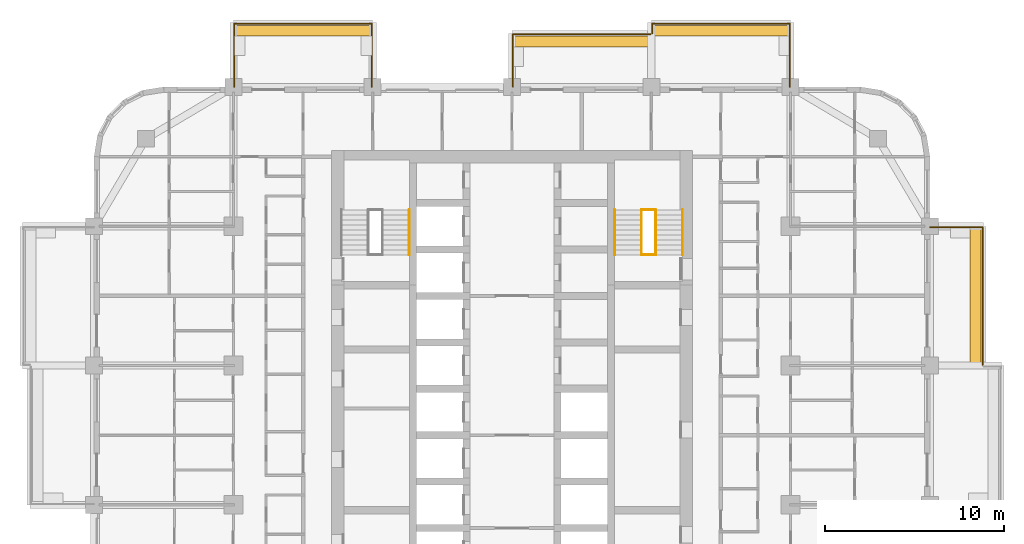
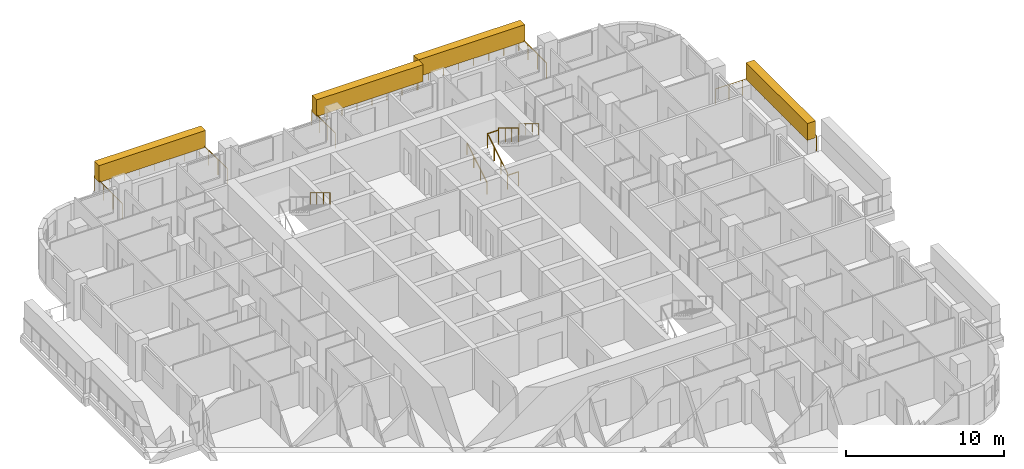
# One storey, part 18 of 18: 11 railings, 4 coverings, 2 elements without a shape of their own.
"""IFC4 building model written with IfcOpenShell, lengths in metres."""

from ifc_helpers import new_model, si_unit, direction, frame, origin, origin_2d, place, context, subcontext, project, spatial, rectangle, circle, extrude, material, layer, layer_set, type_object, element, aggregate, save


model = new_model("IFC4")

# Units and contexts
model_context = context("Model", 3, precision=1e-05, world=origin(), true_north=direction((0.0, 1.0)))
body_context = subcontext(model_context, "Body", "Model", "MODEL_VIEW")
ifc_project = project(units=[si_unit("LENGTHUNIT", "METRE"), si_unit("AREAUNIT", "SQUARE_METRE"), si_unit("VOLUMEUNIT", "CUBIC_METRE"), si_unit("PLANEANGLEUNIT", "RADIAN"), si_unit("MASSUNIT", "GRAM", prefix="KILO")], contexts=[model_context])

# Site, building, storey
site_placement = place(None, origin())
site = spatial("IfcSite", under=ifc_project, at=site_placement, CompositionType="ELEMENT")
building_placement = place(site_placement, origin())
building = spatial("IfcBuilding", under=site, at=building_placement, Name="Ludao Terraces", CompositionType="ELEMENT")
storey_placement = place(building_placement, frame((0.0, 0.0, 75.0)))
storey = spatial("IfcBuildingStorey", under=building, at=storey_placement, Name="L20", CompositionType="ELEMENT", Elevation=75.0)

# Railings
ifc_material_1 = material(Name="Stainless steel 304", Category="steel")
railing_type_1 = type_object("IfcRailingType", Name="ENV Balcony glass guard 1200", PredefinedType="GUARDRAIL", material=ifc_material_1)
railing_1_placement = place(storey_placement, frame((111.35009765625, 72.85009765625, 0.0)))
element("IfcRailing", 1, at=railing_1_placement, inside=storey, type_object=railing_type_1, Name="Balcony guard L20 E4", PredefinedType="GUARDRAIL", context=body_context, shape_type="SweptSolid", body=[
    extrude(circle(Radius=0.02392578125, at=origin_2d()), frame((0.0, 0.0, 1.17578125), z_axis=(0.0, 1.0, 0.0), x_axis=(-1.0, 0.0, 0.0)), (0.0, 0.0, 1.0), 7.699951171875),
    extrude(circle(Radius=0.02392578125, at=origin_2d()), frame((0.0, 7.699951171875, 1.17578125), z_axis=(-1.0, 0.0, 0.0), x_axis=(0.0, -1.0, 0.0)), (0.0, 0.0, 1.0), 2.9501953125),
    extrude(circle(Radius=0.02099609375, at=origin_2d()), origin(), (0.0, 0.0, 1.0), 1.15185546875),
    extrude(circle(Radius=0.02099609375, at=origin_2d()), frame((0.0, 1.10009765625, 0.0)), (0.0, 0.0, 1.0), 1.15185546875),
    extrude(circle(Radius=0.02099609375, at=origin_2d()), frame((0.0, 2.199951171875, 0.0)), (0.0, 0.0, 1.0), 1.15185546875),
    extrude(circle(Radius=0.02099609375, at=origin_2d()), frame((0.0, 3.300048828125, 0.0)), (0.0, 0.0, 1.0), 1.15185546875),
    extrude(circle(Radius=0.02099609375, at=origin_2d()), frame((0.0, 4.39990234375, 0.0)), (0.0, 0.0, 1.0), 1.15185546875),
    extrude(circle(Radius=0.02099609375, at=origin_2d()), frame((0.0, 5.5, 0.0)), (0.0, 0.0, 1.0), 1.15185546875),
    extrude(circle(Radius=0.02099609375, at=origin_2d()), frame((0.0, 6.599853515625, 0.0)), (0.0, 0.0, 1.0), 1.15185546875),
    extrude(circle(Radius=0.02099609375, at=origin_2d()), frame((0.0, 7.699951171875, 0.0)), (0.0, 0.0, 1.0), 1.15185546875),
    extrude(circle(Radius=0.02099609375, at=origin_2d()), frame((-0.9833984375, 7.699951171875, 0.0)), (0.0, 0.0, 1.0), 1.15185546875),
    extrude(circle(Radius=0.02099609375, at=origin_2d()), frame((-1.966796875, 7.699951171875, 0.0)), (0.0, 0.0, 1.0), 1.15185546875),
    extrude(circle(Radius=0.02099609375, at=origin_2d()), frame((-2.9501953125, 7.699951171875, 0.0)), (0.0, 0.0, 1.0), 1.15185546875),
])
railing_2_placement = place(storey_placement, frame((69.449951171875, 88.39990234375, 0.0)))
element("IfcRailing", 2, at=railing_2_placement, inside=storey, type_object=railing_type_1, Name="Balcony guard L20 N1", PredefinedType="GUARDRAIL", context=body_context, shape_type="SweptSolid", body=[
    extrude(circle(Radius=0.02392578125, at=origin_2d()), frame((0.0, 0.0, 1.17578125), z_axis=(0.0, 1.0, 0.0), x_axis=(-1.0, 0.0, 0.0)), (0.0, 0.0, 1.0), 3.550048828125),
    extrude(circle(Radius=0.02392578125, at=origin_2d()), frame((0.0, 3.550048828125, 1.17578125), z_axis=(1.0, 0.0, 0.0), x_axis=(0.0, 1.0, 0.0)), (0.0, 0.0, 1.0), 7.699951171875),
    extrude(circle(Radius=0.02392578125, at=origin_2d()), frame((7.699951171875, 3.550048828125, 1.17578125), z_axis=(0.0, -1.0, 0.0), x_axis=(1.0, 0.0, 0.0)), (0.0, 0.0, 1.0), 3.550048828125),
    extrude(circle(Radius=0.02099609375, at=origin_2d()), origin(), (0.0, 0.0, 1.0), 1.15185546875),
    extrude(circle(Radius=0.02099609375, at=origin_2d()), frame((0.0, 1.183349609375, 0.0)), (0.0, 0.0, 1.0), 1.15185546875),
    extrude(circle(Radius=0.02099609375, at=origin_2d()), frame((0.0, 2.36669921875, 0.0)), (0.0, 0.0, 1.0), 1.15185546875),
    extrude(circle(Radius=0.02099609375, at=origin_2d()), frame((0.0, 3.550048828125, 0.0)), (0.0, 0.0, 1.0), 1.15185546875),
    extrude(circle(Radius=0.02099609375, at=origin_2d()), frame((1.10009765625, 3.550048828125, 0.0)), (0.0, 0.0, 1.0), 1.15185546875),
    extrude(circle(Radius=0.02099609375, at=origin_2d()), frame((2.199951171875, 3.550048828125, 0.0)), (0.0, 0.0, 1.0), 1.15185546875),
    extrude(circle(Radius=0.02099609375, at=origin_2d()), frame((3.300048828125, 3.550048828125, 0.0)), (0.0, 0.0, 1.0), 1.15185546875),
    extrude(circle(Radius=0.02099609375, at=origin_2d()), frame((4.39990234375, 3.550048828125, 0.0)), (0.0, 0.0, 1.0), 1.15185546875),
    extrude(circle(Radius=0.02099609375, at=origin_2d()), frame((5.5, 3.550048828125, 0.0)), (0.0, 0.0, 1.0), 1.15185546875),
    extrude(circle(Radius=0.02099609375, at=origin_2d()), frame((6.599853515625, 3.550048828125, 0.0)), (0.0, 0.0, 1.0), 1.15185546875),
    extrude(circle(Radius=0.02099609375, at=origin_2d()), frame((7.699951171875, 3.550048828125, 0.0)), (0.0, 0.0, 1.0), 1.15185546875),
    extrude(circle(Radius=0.02099609375, at=origin_2d()), frame((7.699951171875, 2.36669921875, 0.0)), (0.0, 0.0, 1.0), 1.15185546875),
    extrude(circle(Radius=0.02099609375, at=origin_2d()), frame((7.699951171875, 1.183349609375, 0.0)), (0.0, 0.0, 1.0), 1.15185546875),
    extrude(circle(Radius=0.02099609375, at=origin_2d()), frame((7.699951171875, 0.0, 0.0)), (0.0, 0.0, 1.0), 1.15185546875),
])
railing_3_placement = place(storey_placement, frame((85.050048828125, 88.39990234375, 0.0)))
element("IfcRailing", 3, at=railing_3_placement, inside=storey, type_object=railing_type_1, Name="Balcony guard L20 N3", PredefinedType="GUARDRAIL", context=body_context, shape_type="SweptSolid", body=[
    extrude(circle(Radius=0.02392578125, at=origin_2d()), frame((0.0, 0.0, 1.17578125), z_axis=(0.0, 1.0, 0.0), x_axis=(-1.0, 0.0, 0.0)), (0.0, 0.0, 1.0), 2.9501953125),
    extrude(circle(Radius=0.02392578125, at=origin_2d()), frame((0.0, 2.9501953125, 1.17578125), z_axis=(1.0, 0.0, 0.0), x_axis=(0.0, 1.0, 0.0)), (0.0, 0.0, 1.0), 7.699951171875),
    extrude(circle(Radius=0.02099609375, at=origin_2d()), origin(), (0.0, 0.0, 1.0), 1.15185546875),
    extrude(circle(Radius=0.02099609375, at=origin_2d()), frame((0.0, 0.9833984375, 0.0)), (0.0, 0.0, 1.0), 1.15185546875),
    extrude(circle(Radius=0.02099609375, at=origin_2d()), frame((0.0, 1.966796875, 0.0)), (0.0, 0.0, 1.0), 1.15185546875),
    extrude(circle(Radius=0.02099609375, at=origin_2d()), frame((0.0, 2.9501953125, 0.0)), (0.0, 0.0, 1.0), 1.15185546875),
    extrude(circle(Radius=0.02099609375, at=origin_2d()), frame((1.10009765625, 2.9501953125, 0.0)), (0.0, 0.0, 1.0), 1.15185546875),
    extrude(circle(Radius=0.02099609375, at=origin_2d()), frame((2.199951171875, 2.9501953125, 0.0)), (0.0, 0.0, 1.0), 1.15185546875),
    extrude(circle(Radius=0.02099609375, at=origin_2d()), frame((3.300048828125, 2.9501953125, 0.0)), (0.0, 0.0, 1.0), 1.15185546875),
    extrude(circle(Radius=0.02099609375, at=origin_2d()), frame((4.39990234375, 2.9501953125, 0.0)), (0.0, 0.0, 1.0), 1.15185546875),
    extrude(circle(Radius=0.02099609375, at=origin_2d()), frame((5.5, 2.9501953125, 0.0)), (0.0, 0.0, 1.0), 1.15185546875),
    extrude(circle(Radius=0.02099609375, at=origin_2d()), frame((6.599853515625, 2.9501953125, 0.0)), (0.0, 0.0, 1.0), 1.15185546875),
    extrude(circle(Radius=0.02099609375, at=origin_2d()), frame((7.699951171875, 2.9501953125, 0.0)), (0.0, 0.0, 1.0), 1.15185546875),
])
railing_4_placement = place(storey_placement, frame((92.85009765625, 91.39990234375, 0.0)))
element("IfcRailing", 4, at=railing_4_placement, inside=storey, type_object=railing_type_1, Name="Balcony guard L20 N4", PredefinedType="GUARDRAIL", context=body_context, shape_type="SweptSolid", body=[
    extrude(circle(Radius=0.02392578125, at=origin_2d()), frame((0.0, 0.0, 1.17578125), z_axis=(0.0, 1.0, 0.0), x_axis=(-1.0, 0.0, 0.0)), (0.0, 0.0, 1.0), 0.550048828125),
    extrude(circle(Radius=0.02392578125, at=origin_2d()), frame((0.0, 0.550048828125, 1.17578125), z_axis=(1.0, 0.0, 0.0), x_axis=(0.0, 1.0, 0.0)), (0.0, 0.0, 1.0), 7.699951171875),
    extrude(circle(Radius=0.02392578125, at=origin_2d()), frame((7.699951171875, 0.550048828125, 1.17578125), z_axis=(0.0, -1.0, 0.0), x_axis=(1.0, 0.0, 0.0)), (0.0, 0.0, 1.0), 3.550048828125),
    extrude(circle(Radius=0.02099609375, at=origin_2d()), origin(), (0.0, 0.0, 1.0), 1.15185546875),
    extrude(circle(Radius=0.02099609375, at=origin_2d()), frame((0.0, 0.550048828125, 0.0)), (0.0, 0.0, 1.0), 1.15185546875),
    extrude(circle(Radius=0.02099609375, at=origin_2d()), frame((1.10009765625, 0.550048828125, 0.0)), (0.0, 0.0, 1.0), 1.15185546875),
    extrude(circle(Radius=0.02099609375, at=origin_2d()), frame((2.199951171875, 0.550048828125, 0.0)), (0.0, 0.0, 1.0), 1.15185546875),
    extrude(circle(Radius=0.02099609375, at=origin_2d()), frame((3.300048828125, 0.550048828125, 0.0)), (0.0, 0.0, 1.0), 1.15185546875),
    extrude(circle(Radius=0.02099609375, at=origin_2d()), frame((4.39990234375, 0.550048828125, 0.0)), (0.0, 0.0, 1.0), 1.15185546875),
    extrude(circle(Radius=0.02099609375, at=origin_2d()), frame((5.5, 0.550048828125, 0.0)), (0.0, 0.0, 1.0), 1.15185546875),
    extrude(circle(Radius=0.02099609375, at=origin_2d()), frame((6.599853515625, 0.550048828125, 0.0)), (0.0, 0.0, 1.0), 1.15185546875),
    extrude(circle(Radius=0.02099609375, at=origin_2d()), frame((7.699951171875, 0.550048828125, 0.0)), (0.0, 0.0, 1.0), 1.15185546875),
    extrude(circle(Radius=0.02099609375, at=origin_2d()), frame((7.699951171875, -0.63330078125, 0.0)), (0.0, 0.0, 1.0), 1.15185546875),
    extrude(circle(Radius=0.02099609375, at=origin_2d()), frame((7.699951171875, -1.816650390625, 0.0)), (0.0, 0.0, 1.0), 1.15185546875),
    extrude(circle(Radius=0.02099609375, at=origin_2d()), frame((7.699951171875, -3.0, 0.0)), (0.0, 0.0, 1.0), 1.15185546875),
])

# Coverings
ifc_material_2 = material(Name="Planting")
ifc_layer = layer(ifc_material_2, 0.60009765625)
ifc_layer_set = layer_set([ifc_layer], Name="ENV Planting hedge 600x1300")
covering_type = type_object("IfcCoveringType", Name="ENV Planting hedge 600x1300", PredefinedType="USERDEFINED", material=ifc_layer_set)
covering_placement = place(storey_placement, frame((110.949951171875, 76.699951171875, 1.10009765625), z_axis=(0.0, 0.0, 1.0), x_axis=(1.0, 0.0, 0.0)))
element("IfcCovering", 5, at=covering_placement, inside=storey, type_object=covering_type, Name="Planting hedge L20-E4", ObjectType="PLANTING", PredefinedType="USERDEFINED", context=body_context, shape_type="SweptSolid", body=[
    extrude(rectangle(XDim=0.60009765625, YDim=7.800048828125, at=origin_2d()), origin(), (0.0, 0.0, 1.0), 1.300048828125),
])
for number, where, z_axis, x_axis, name in (
    (6, (73.300048828125, 91.550048828125, 1.10009765625), (0.0, 0.0, 1.0), (1.0, 0.0, 0.0), "Planting hedge L20-N1"),
    (7, (88.89990234375, 90.949951171875, 1.10009765625), (0.0, 0.0, 1.0), (1.0, 0.0, 0.0), "Planting hedge L20-N3"),
    (8, (96.699951171875, 91.550048828125, 1.10009765625), (0.0, 0.0, 1.0), (1.0, 0.0, 0.0), "Planting hedge L20-N4"),
):
    element("IfcCovering", number, at=place(storey_placement, frame(where, z_axis=z_axis, x_axis=x_axis)), inside=storey, type_object=covering_type, Name=name, ObjectType="PLANTING", PredefinedType="USERDEFINED", context=body_context, shape_type="SweptSolid", body=[
        extrude(rectangle(XDim=7.800048828125, YDim=0.60009765625, at=origin_2d()), origin(), (0.0, 0.0, 1.0), 1.300048828125),
    ])

# Stair, railings
ifc_material_3 = material(Name="Concrete C40", Category="concrete")
stair_type = type_object("IfcStairType", Name="INT Stair", PredefinedType="HALF_TURN_STAIR", material=ifc_material_3)
stair_1_placement = place(storey_placement, origin())
stair_1 = element("IfcStair", 9, at=stair_1_placement, inside=storey, type_object=stair_type, Name="EXIT STAIR 2", PredefinedType="HALF_TURN_STAIR")
railing_type_2 = type_object("IfcRailingType", Name="INT Stair guard 1100", PredefinedType="GUARDRAIL", material=ifc_material_1)
railing_5_placement = place(storey_placement, frame((92.25, 79.0, 0.169921875)))
railing_5 = element("IfcRailing", 10, at=railing_5_placement, type_object=railing_type_2, Name="ST-L20-S2-R1G", PredefinedType="GUARDRAIL", context=body_context, shape_type="SweptSolid", body=[
    extrude(circle(Radius=0.02392578125, at=origin_2d()), frame((0.0, 0.0, 1.076171875), z_axis=(0.0, 0.85478489116, 0.518982456201), x_axis=(-1.0, 0.0, 0.0)), (0.0, 0.0, 1.0), 2.9482421875),
    extrude(circle(Radius=0.02099609375, at=origin_2d()), origin(), (0.0, 0.0, 1.0), 1.052001953125),
    extrude(circle(Radius=0.02099609375, at=origin_2d()), frame((0.0, 0.840087890625, 0.510009765625)), (0.0, 0.0, 1.0), 1.052001953125),
    extrude(circle(Radius=0.02099609375, at=origin_2d()), frame((0.0, 1.679931640625, 1.02001953125)), (0.0, 0.0, 1.0), 1.052001953125),
    extrude(circle(Radius=0.02099609375, at=origin_2d()), frame((0.0, 2.52001953125, 1.530029296875)), (0.0, 0.0, 1.0), 1.052001953125),
])
railing_6_placement = place(storey_placement, frame((93.050048828125, 81.52001953125, 1.8701171875)))
railing_6 = element("IfcRailing", 11, at=railing_6_placement, type_object=railing_type_2, Name="ST-L20-S2-R2G", PredefinedType="GUARDRAIL", context=body_context, shape_type="SweptSolid", body=[
    extrude(circle(Radius=0.02392578125, at=origin_2d()), frame((0.0, 0.0, 1.076171875), z_axis=(0.0, -0.854821627497, 0.518921945155), x_axis=(1.0, 0.0, 0.0)), (0.0, 0.0, 1.0), 2.947998046875),
    extrude(circle(Radius=0.02099609375, at=origin_2d()), origin(), (0.0, 0.0, 1.0), 1.052001953125),
    extrude(circle(Radius=0.02099609375, at=origin_2d()), frame((0.0, -0.840087890625, 0.510009765625)), (0.0, 0.0, 1.0), 1.052001953125),
    extrude(circle(Radius=0.02099609375, at=origin_2d()), frame((0.0, -1.679931640625, 1.019775390625)), (0.0, 0.0, 1.0), 1.052001953125),
    extrude(circle(Radius=0.02099609375, at=origin_2d()), frame((0.0, -2.52001953125, 1.52978515625)), (0.0, 0.0, 1.0), 1.052001953125),
])
railing_7_placement = place(storey_placement, frame((92.25, 81.52001953125, 1.699951171875)))
railing_7 = element("IfcRailing", 12, at=railing_7_placement, type_object=railing_type_2, Name="ST-L20-S2-E1G", PredefinedType="GUARDRAIL", context=body_context, shape_type="SweptSolid", body=[
    extrude(circle(Radius=0.02392578125, at=origin_2d()), frame((0.0, 0.0, 1.076171875), z_axis=(1.0, 0.0, 0.0), x_axis=(0.0, 1.0, 0.0)), (0.0, 0.0, 1.0), 0.800048828125),
    extrude(circle(Radius=0.02099609375, at=origin_2d()), origin(), (0.0, 0.0, 1.0), 1.052001953125),
    extrude(circle(Radius=0.02099609375, at=origin_2d()), frame((0.800048828125, 0.0, 0.0)), (0.0, 0.0, 1.0), 1.052001953125),
])
railing_8_placement = place(storey_placement, frame((92.25, 79.0, 0.0)))
railing_8 = element("IfcRailing", 13, at=railing_8_placement, type_object=railing_type_2, Name="ST-L20-S2-E2G", PredefinedType="GUARDRAIL", context=body_context, shape_type="SweptSolid", body=[
    extrude(circle(Radius=0.02392578125, at=origin_2d()), frame((0.0, 0.0, 1.076171875), z_axis=(1.0, 0.0, 0.0), x_axis=(0.0, 1.0, 0.0)), (0.0, 0.0, 1.0), 0.800048828125),
    extrude(circle(Radius=0.02099609375, at=origin_2d()), origin(), (0.0, 0.0, 1.0), 1.052001953125),
    extrude(circle(Radius=0.02099609375, at=origin_2d()), frame((0.800048828125, 0.0, 0.0)), (0.0, 0.0, 1.0), 1.052001953125),
])

# Stair, railing
stair_2_placement = place(storey_placement, origin())
stair_2 = element("IfcStair", 14, at=stair_2_placement, inside=storey, type_object=stair_type, Name="EXIT STAIR 1", PredefinedType="HALF_TURN_STAIR")
railing_type_3 = type_object("IfcRailingType", Name="INT Stair handrail 900", PredefinedType="HANDRAIL", material=ifc_material_1)
railing_9_placement = place(storey_placement, frame((79.25, 81.52001953125, 1.8701171875)))
railing_9 = element("IfcRailing", 15, at=railing_9_placement, type_object=railing_type_3, Name="ST-L20-S1-R2H", PredefinedType="HANDRAIL", context=body_context, shape_type="SweptSolid", body=[
    extrude(circle(Radius=0.02392578125, at=origin_2d()), frame((0.0, 0.0, 0.8759765625), z_axis=(0.0, -0.854821627497, 0.518921945155), x_axis=(1.0, 0.0, 0.0)), (0.0, 0.0, 1.0), 2.947998046875),
    extrude(circle(Radius=0.02099609375, at=origin_2d()), origin(), (0.0, 0.0, 1.0), 0.851806640625),
    extrude(circle(Radius=0.02099609375, at=origin_2d()), frame((0.0, -0.840087890625, 0.510009765625)), (0.0, 0.0, 1.0), 0.851806640625),
    extrude(circle(Radius=0.02099609375, at=origin_2d()), frame((0.0, -1.679931640625, 1.019775390625)), (0.0, 0.0, 1.0), 0.851806640625),
    extrude(circle(Radius=0.02099609375, at=origin_2d()), frame((0.0, -2.52001953125, 1.52978515625)), (0.0, 0.0, 1.0), 0.851806640625),
])
aggregate(stair_2, [railing_9])

# Railing
railing_10_placement = place(storey_placement, frame((90.75, 79.0, 0.169921875)))
railing_10 = element("IfcRailing", 16, at=railing_10_placement, type_object=railing_type_3, Name="ST-L20-S2-R1H", PredefinedType="HANDRAIL", context=body_context, shape_type="SweptSolid", body=[
    extrude(circle(Radius=0.02392578125, at=origin_2d()), frame((0.0, 0.0, 0.8759765625), z_axis=(0.0, 0.85478489116, 0.518982456201), x_axis=(-1.0, 0.0, 0.0)), (0.0, 0.0, 1.0), 2.9482421875),
    extrude(circle(Radius=0.02099609375, at=origin_2d()), origin(), (0.0, 0.0, 1.0), 0.851806640625),
    extrude(circle(Radius=0.02099609375, at=origin_2d()), frame((0.0, 0.840087890625, 0.510009765625)), (0.0, 0.0, 1.0), 0.851806640625),
    extrude(circle(Radius=0.02099609375, at=origin_2d()), frame((0.0, 1.679931640625, 1.02001953125)), (0.0, 0.0, 1.0), 0.851806640625),
    extrude(circle(Radius=0.02099609375, at=origin_2d()), frame((0.0, 2.52001953125, 1.530029296875)), (0.0, 0.0, 1.0), 0.851806640625),
])

railing_11_placement = place(storey_placement, frame((94.550048828125, 81.52001953125, 1.8701171875)))
railing_11 = element("IfcRailing", 17, at=railing_11_placement, type_object=railing_type_3, Name="ST-L20-S2-R2H", PredefinedType="HANDRAIL", context=body_context, shape_type="SweptSolid", body=[
    extrude(circle(Radius=0.02392578125, at=origin_2d()), frame((0.0, 0.0, 0.8759765625), z_axis=(0.0, -0.854821627497, 0.518921945155), x_axis=(1.0, 0.0, 0.0)), (0.0, 0.0, 1.0), 2.947998046875),
    extrude(circle(Radius=0.02099609375, at=origin_2d()), origin(), (0.0, 0.0, 1.0), 0.851806640625),
    extrude(circle(Radius=0.02099609375, at=origin_2d()), frame((0.0, -0.840087890625, 0.510009765625)), (0.0, 0.0, 1.0), 0.851806640625),
    extrude(circle(Radius=0.02099609375, at=origin_2d()), frame((0.0, -1.679931640625, 1.019775390625)), (0.0, 0.0, 1.0), 0.851806640625),
    extrude(circle(Radius=0.02099609375, at=origin_2d()), frame((0.0, -2.52001953125, 1.52978515625)), (0.0, 0.0, 1.0), 0.851806640625),
])

aggregate(stair_1, [railing_5, railing_10, railing_6, railing_11, railing_7, railing_8])

save(model, "model.ifc")
